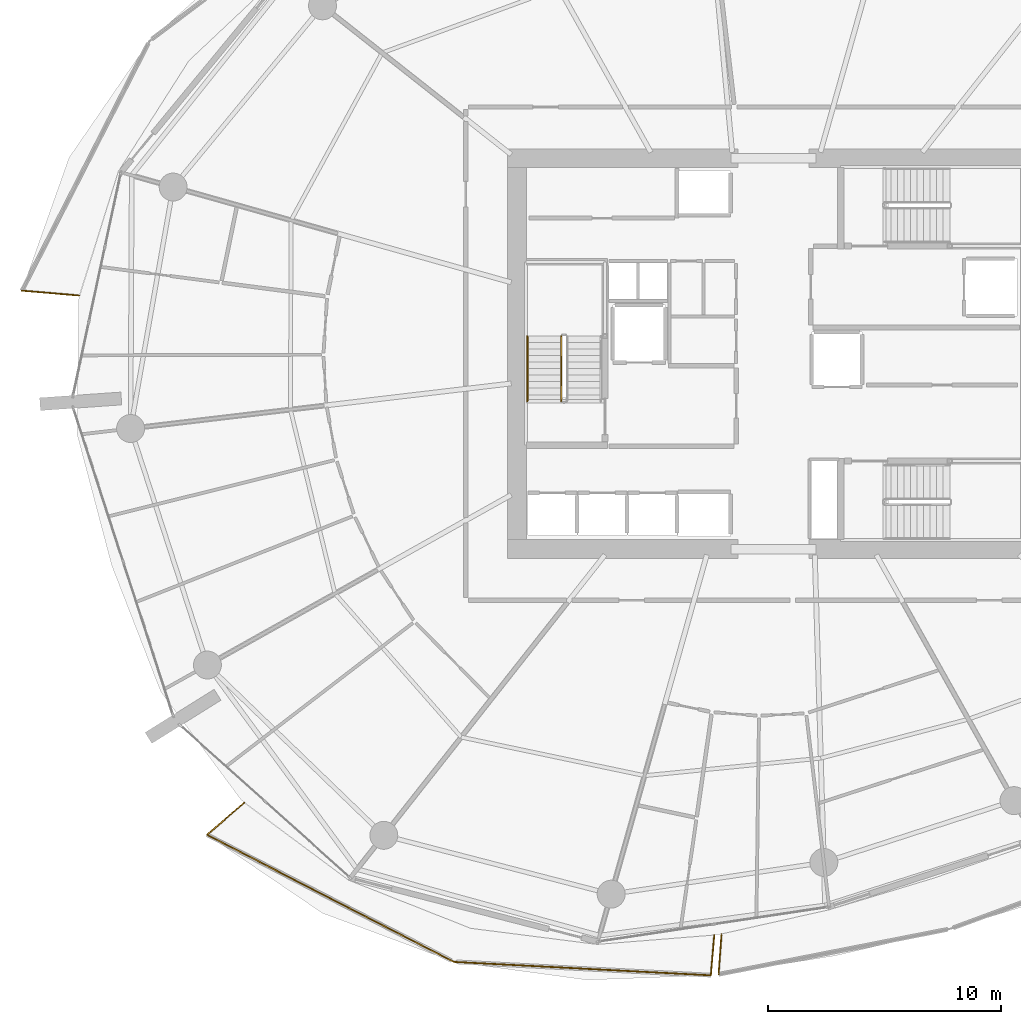
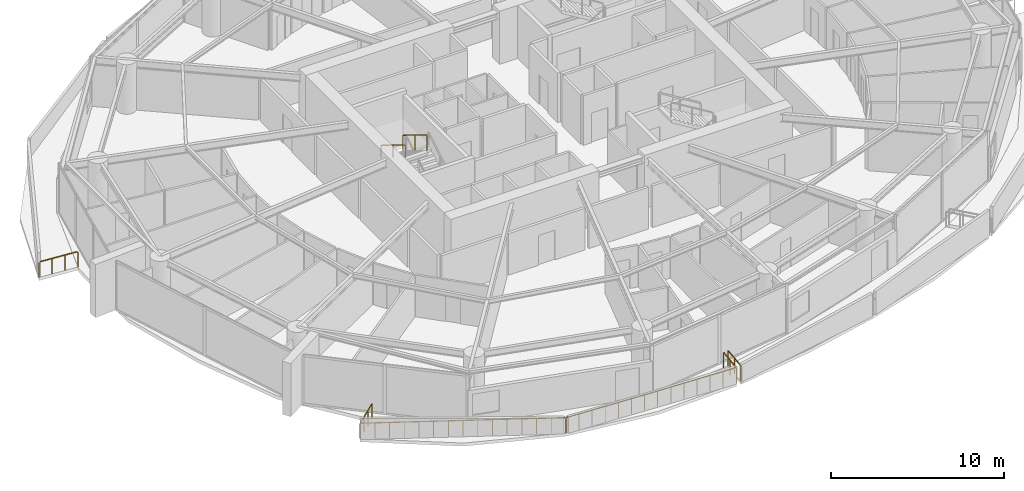
# One storey, part 17 of 23: 8 railings.
"""IFC4 building model written with IfcOpenShell, lengths in metres."""

from ifc_helpers import new_model, si_unit, direction, frame, origin, origin_2d, place, context, subcontext, project, spatial, rectangle, extrude, material, type_object, element, save


model = new_model("IFC4")

# Units and contexts
model_context = context("Model", 3, precision=1e-05, world=origin(), true_north=direction((0.0, 1.0)))
body_context = subcontext(model_context, "Body", "Model", "MODEL_VIEW")
ifc_project = project(units=[si_unit("LENGTHUNIT", "METRE"), si_unit("AREAUNIT", "SQUARE_METRE"), si_unit("VOLUMEUNIT", "CUBIC_METRE"), si_unit("PLANEANGLEUNIT", "RADIAN"), si_unit("MASSUNIT", "GRAM", prefix="KILO")], contexts=[model_context])

# Site, building, storey
site_placement = place(None, origin())
site = spatial("IfcSite", under=ifc_project, at=site_placement, CompositionType="ELEMENT")
building_placement = place(site_placement, origin())
building = spatial("IfcBuilding", under=site, at=building_placement, Name="Kazma Halo Residences", CompositionType="ELEMENT")
storey_placement = place(building_placement, frame((0.0, 0.0, 97.64990234375)))
storey = spatial("IfcBuildingStorey", under=building, at=storey_placement, Name="L24", CompositionType="ELEMENT", Elevation=97.64990234375)

# Railings
ifc_material_1 = material(Name="Aluminium AW-6063 T6 Brushed Cap Rail", Category="aluminium")
railing_type_1 = type_object("IfcRailingType", Name="RLG-BAL-CAP-1120", PredefinedType="BALUSTRADE", material=ifc_material_1)
railing_1_placement = place(storey_placement, frame((16.12109375, 44.705078125, 0.0)))
element("IfcRailing", 1, at=railing_1_placement, inside=storey, type_object=railing_type_1, Name="L24 NW wave balcony guard 4", PredefinedType="BALUSTRADE", context=body_context, shape_type="SweptSolid", body=[
    extrude(rectangle(XDim=0.050048828125, YDim=0.050048828125, at=origin_2d()), frame((0.04248046875, -0.003662109375, 1.09521484375), z_axis=(0.996412851629, -0.084625227375, 0.0), x_axis=(0.084625227375, 0.996412851629, 0.0)), (0.0, 0.0, 1.0), 2.39599609375),
    extrude(rectangle(XDim=0.0400390625, YDim=0.0400390625, at=origin_2d()), origin(), (0.0, 0.0, 1.0), 1.05810546875),
    extrude(rectangle(XDim=0.0400390625, YDim=0.0400390625, at=origin_2d()), frame((0.823974609375, -0.070068359375, 0.0)), (0.0, 0.0, 1.0), 1.05810546875),
    extrude(rectangle(XDim=0.0400390625, YDim=0.0400390625, at=origin_2d()), frame((1.648193359375, -0.139892578125, 0.0)), (0.0, 0.0, 1.0), 1.05810546875),
    extrude(rectangle(XDim=0.0400390625, YDim=0.0400390625, at=origin_2d()), frame((2.47216796875, -0.2099609375, 0.0)), (0.0, 0.0, 1.0), 1.05810546875),
])
railing_2_placement = place(storey_placement, frame((25.676025390625, 22.696533203125, 0.0)))
element("IfcRailing", 2, at=railing_2_placement, inside=storey, type_object=railing_type_1, Name="L24 SW wave balcony guard 1", PredefinedType="BALUSTRADE", context=body_context, shape_type="SweptSolid", body=[
    extrude(rectangle(XDim=0.050048828125, YDim=0.050048828125, at=origin_2d()), frame((-0.0322265625, -0.02783203125, 1.09521484375), z_axis=(-0.756383280666, -0.654128682087, 0.0), x_axis=(0.654128682087, -0.756383280666, 0.0)), (0.0, 0.0, 1.0), 2.025634765625),
    extrude(rectangle(XDim=0.0400390625, YDim=0.0400390625, at=origin_2d()), origin(), (0.0, 0.0, 1.0), 1.05810546875),
    extrude(rectangle(XDim=0.0400390625, YDim=0.0400390625, at=origin_2d()), frame((-0.5322265625, -0.460205078125, 0.0)), (0.0, 0.0, 1.0), 1.05810546875),
    extrude(rectangle(XDim=0.0400390625, YDim=0.0400390625, at=origin_2d()), frame((-1.064208984375, -0.92041015625, 0.0)), (0.0, 0.0, 1.0), 1.05810546875),
    extrude(rectangle(XDim=0.0400390625, YDim=0.0400390625, at=origin_2d()), frame((-1.596435546875, -1.380615234375, 0.0)), (0.0, 0.0, 1.0), 1.05810546875),
])
railing_3_placement = place(storey_placement, frame((24.07958984375, 21.31591796875, 0.0)))
element("IfcRailing", 3, at=railing_3_placement, inside=storey, type_object=railing_type_1, Name="L24 SW wave balcony guard 2", PredefinedType="BALUSTRADE", context=body_context, shape_type="SweptSolid", body=[
    extrude(rectangle(XDim=0.050048828125, YDim=0.050048828125, at=origin_2d()), frame((0.037841796875, -0.01953125, 1.09521484375), z_axis=(0.888977082513, -0.457951686062, 0.0), x_axis=(0.457951686062, 0.888977082513, 0.0)), (0.0, 0.0, 1.0), 11.838134765625),
    extrude(rectangle(XDim=0.0400390625, YDim=0.0400390625, at=origin_2d()), origin(), (0.0, 0.0, 1.0), 1.05810546875),
    extrude(rectangle(XDim=0.0400390625, YDim=0.0400390625, at=origin_2d()), frame((0.757080078125, -0.39013671875, 0.0)), (0.0, 0.0, 1.0), 1.05810546875),
    extrude(rectangle(XDim=0.0400390625, YDim=0.0400390625, at=origin_2d()), frame((1.51416015625, -0.780029296875, 0.0)), (0.0, 0.0, 1.0), 1.05810546875),
    extrude(rectangle(XDim=0.0400390625, YDim=0.0400390625, at=origin_2d()), frame((2.271240234375, -1.169921875, 0.0)), (0.0, 0.0, 1.0), 1.05810546875),
    extrude(rectangle(XDim=0.0400390625, YDim=0.0400390625, at=origin_2d()), frame((3.0283203125, -1.56005859375, 0.0)), (0.0, 0.0, 1.0), 1.05810546875),
    extrude(rectangle(XDim=0.0400390625, YDim=0.0400390625, at=origin_2d()), frame((3.785400390625, -1.9501953125, 0.0)), (0.0, 0.0, 1.0), 1.05810546875),
    extrude(rectangle(XDim=0.0400390625, YDim=0.0400390625, at=origin_2d()), frame((4.54248046875, -2.340087890625, 0.0)), (0.0, 0.0, 1.0), 1.05810546875),
    extrude(rectangle(XDim=0.0400390625, YDim=0.0400390625, at=origin_2d()), frame((5.2998046875, -2.72998046875, 0.0)), (0.0, 0.0, 1.0), 1.05810546875),
    extrude(rectangle(XDim=0.0400390625, YDim=0.0400390625, at=origin_2d()), frame((6.056884765625, -3.1201171875, 0.0)), (0.0, 0.0, 1.0), 1.05810546875),
    extrude(rectangle(XDim=0.0400390625, YDim=0.0400390625, at=origin_2d()), frame((6.81396484375, -3.51025390625, 0.0)), (0.0, 0.0, 1.0), 1.05810546875),
    extrude(rectangle(XDim=0.0400390625, YDim=0.0400390625, at=origin_2d()), frame((7.571044921875, -3.900146484375, 0.0)), (0.0, 0.0, 1.0), 1.05810546875),
    extrude(rectangle(XDim=0.0400390625, YDim=0.0400390625, at=origin_2d()), frame((8.328125, -4.2900390625, 0.0)), (0.0, 0.0, 1.0), 1.05810546875),
    extrude(rectangle(XDim=0.0400390625, YDim=0.0400390625, at=origin_2d()), frame((9.085205078125, -4.68017578125, 0.0)), (0.0, 0.0, 1.0), 1.05810546875),
    extrude(rectangle(XDim=0.0400390625, YDim=0.0400390625, at=origin_2d()), frame((9.84228515625, -5.0703125, 0.0)), (0.0, 0.0, 1.0), 1.05810546875),
    extrude(rectangle(XDim=0.0400390625, YDim=0.0400390625, at=origin_2d()), frame((10.599365234375, -5.460205078125, 0.0)), (0.0, 0.0, 1.0), 1.05810546875),
])
railing_4_placement = place(storey_placement, frame((34.678955078125, 15.855712890625, 0.0)))
element("IfcRailing", 4, at=railing_4_placement, inside=storey, type_object=railing_type_1, Name="L24 SW wave balcony guard 3", PredefinedType="BALUSTRADE", context=body_context, shape_type="SweptSolid", body=[
    extrude(rectangle(XDim=0.050048828125, YDim=0.050048828125, at=origin_2d()), frame((0.04248046875, -0.002197265625, 1.09521484375), z_axis=(0.998638528459, -0.052164063076, 0.0), x_axis=(0.052164063076, 0.998638528459, 0.0)), (0.0, 0.0, 1.0), 10.983642578125),
    extrude(rectangle(XDim=0.0400390625, YDim=0.0400390625, at=origin_2d()), origin(), (0.0, 0.0, 1.0), 1.05810546875),
    extrude(rectangle(XDim=0.0400390625, YDim=0.0400390625, at=origin_2d()), frame((0.850341796875, -0.04443359375, 0.0)), (0.0, 0.0, 1.0), 1.05810546875),
    extrude(rectangle(XDim=0.0400390625, YDim=0.0400390625, at=origin_2d()), frame((1.70068359375, -0.0888671875, 0.0)), (0.0, 0.0, 1.0), 1.05810546875),
    extrude(rectangle(XDim=0.0400390625, YDim=0.0400390625, at=origin_2d()), frame((2.55078125, -0.13330078125, 0.0)), (0.0, 0.0, 1.0), 1.05810546875),
    extrude(rectangle(XDim=0.0400390625, YDim=0.0400390625, at=origin_2d()), frame((3.401123046875, -0.177734375, 0.0)), (0.0, 0.0, 1.0), 1.05810546875),
    extrude(rectangle(XDim=0.0400390625, YDim=0.0400390625, at=origin_2d()), frame((4.25146484375, -0.22216796875, 0.0)), (0.0, 0.0, 1.0), 1.05810546875),
    extrude(rectangle(XDim=0.0400390625, YDim=0.0400390625, at=origin_2d()), frame((5.101806640625, -0.2666015625, 0.0)), (0.0, 0.0, 1.0), 1.05810546875),
    extrude(rectangle(XDim=0.0400390625, YDim=0.0400390625, at=origin_2d()), frame((5.951904296875, -0.310791015625, 0.0)), (0.0, 0.0, 1.0), 1.05810546875),
    extrude(rectangle(XDim=0.0400390625, YDim=0.0400390625, at=origin_2d()), frame((6.80224609375, -0.355224609375, 0.0)), (0.0, 0.0, 1.0), 1.05810546875),
    extrude(rectangle(XDim=0.0400390625, YDim=0.0400390625, at=origin_2d()), frame((7.652587890625, -0.399658203125, 0.0)), (0.0, 0.0, 1.0), 1.05810546875),
    extrude(rectangle(XDim=0.0400390625, YDim=0.0400390625, at=origin_2d()), frame((8.5029296875, -0.444091796875, 0.0)), (0.0, 0.0, 1.0), 1.05810546875),
    extrude(rectangle(XDim=0.0400390625, YDim=0.0400390625, at=origin_2d()), frame((9.35302734375, -0.488525390625, 0.0)), (0.0, 0.0, 1.0), 1.05810546875),
    extrude(rectangle(XDim=0.0400390625, YDim=0.0400390625, at=origin_2d()), frame((10.203369140625, -0.532958984375, 0.0)), (0.0, 0.0, 1.0), 1.05810546875),
    extrude(rectangle(XDim=0.0400390625, YDim=0.0400390625, at=origin_2d()), frame((11.0537109375, -0.577392578125, 0.0)), (0.0, 0.0, 1.0), 1.05810546875),
])
railing_5_placement = place(storey_placement, frame((45.732666015625, 15.2783203125, 0.0)))
element("IfcRailing", 5, at=railing_5_placement, inside=storey, type_object=railing_type_1, Name="L24 SW wave balcony guard 4", PredefinedType="BALUSTRADE", context=body_context, shape_type="SweptSolid", body=[
    extrude(rectangle(XDim=0.050048828125, YDim=0.050048828125, at=origin_2d()), frame((0.003662109375, 0.04248046875, 1.09521484375), z_axis=(0.084547240247, 0.996419471993, 0.0), x_axis=(-0.996419471993, 0.084547240247, 0.0)), (0.0, 0.0, 1.0), 1.650390625),
    extrude(rectangle(XDim=0.0400390625, YDim=0.0400390625, at=origin_2d()), origin(), (0.0, 0.0, 1.0), 1.05810546875),
    extrude(rectangle(XDim=0.0400390625, YDim=0.0400390625, at=origin_2d()), frame((0.0732421875, 0.86474609375, 0.0)), (0.0, 0.0, 1.0), 1.05810546875),
    extrude(rectangle(XDim=0.0400390625, YDim=0.0400390625, at=origin_2d()), frame((0.146728515625, 1.729248046875, 0.0)), (0.0, 0.0, 1.0), 1.05810546875),
])
railing_6_placement = place(storey_placement, frame((46.18994140625, 17.05419921875, 0.0)))
element("IfcRailing", 6, at=railing_6_placement, inside=storey, type_object=railing_type_1, Name="L24 SSE wave balcony guard 1", PredefinedType="BALUSTRADE", context=body_context, shape_type="SweptSolid", body=[
    extrude(rectangle(XDim=0.050048828125, YDim=0.050048828125, at=origin_2d()), frame((-0.003173828125, -0.04248046875, 1.09521484375), z_axis=(-0.072361028195, -0.99737850468, 0.0), x_axis=(0.99737850468, -0.072361028195, 0.0)), (0.0, 0.0, 1.0), 1.6591796875),
    extrude(rectangle(XDim=0.0400390625, YDim=0.0400390625, at=origin_2d()), origin(), (0.0, 0.0, 1.0), 1.05810546875),
    extrude(rectangle(XDim=0.0400390625, YDim=0.0400390625, at=origin_2d()), frame((-0.06298828125, -0.869873046875, 0.0)), (0.0, 0.0, 1.0), 1.05810546875),
    extrude(rectangle(XDim=0.0400390625, YDim=0.0400390625, at=origin_2d()), frame((-0.126220703125, -1.73974609375, 0.0)), (0.0, 0.0, 1.0), 1.05810546875),
])
ifc_material_2 = material(Name="Painted Steel S355", Category="steel")
railing_type_2 = type_object("IfcRailingType", Name="RLG-STAIR-GRD-1100", PredefinedType="GUARDRAIL", material=ifc_material_2)
railing_7_placement = place(storey_placement, frame((39.300048828125, 42.75, 2.045654296875)))
element("IfcRailing", 7, at=railing_7_placement, inside=storey, type_object=railing_type_2, Name="L24 ST-01 stair guard 3", PredefinedType="GUARDRAIL", context=body_context, shape_type="SweptSolid", body=[
    extrude(rectangle(XDim=0.050048828125, YDim=0.050048828125, at=origin_2d()), frame((0.0, -0.036376953125, 1.09716796875), z_axis=(0.0, -0.854202870247, 0.519939858505), x_axis=(1.0, 0.0, 0.0)), (0.0, 0.0, 1.0), 3.19287109375),
    extrude(rectangle(XDim=0.0400390625, YDim=0.0400390625, at=origin_2d()), origin(), (0.0, 0.0, 1.0), 1.0380859375),
    extrude(rectangle(XDim=0.0400390625, YDim=0.0400390625, at=origin_2d()), frame((0.0, -1.39990234375, 0.85205078125)), (0.0, 0.0, 1.0), 1.0380859375),
    extrude(rectangle(XDim=0.0400390625, YDim=0.0400390625, at=origin_2d()), frame((0.0, -2.800048828125, 1.704345703125)), (0.0, 0.0, 1.0), 1.0380859375),
])
ifc_material_3 = material(Name="Brushed Stainless Steel", Category="steel")
railing_type_3 = type_object("IfcRailingType", Name="RLG-STAIR-HND-900", PredefinedType="HANDRAIL", material=ifc_material_3)
railing_8_placement = place(storey_placement, frame((37.85009765625, 42.75, 2.045654296875)))
element("IfcRailing", 8, at=railing_8_placement, inside=storey, type_object=railing_type_3, Name="L24 ST-01 stair handrail 2", PredefinedType="HANDRAIL", context=body_context, shape_type="SweptSolid", body=[
    extrude(rectangle(XDim=0.050048828125, YDim=0.050048828125, at=origin_2d()), frame((0.0, -0.036376953125, 0.89697265625), z_axis=(0.0, -0.854202870247, 0.519939858505), x_axis=(1.0, 0.0, 0.0)), (0.0, 0.0, 1.0), 3.19287109375),
    extrude(rectangle(XDim=0.0400390625, YDim=0.0400390625, at=origin_2d()), origin(), (0.0, 0.0, 1.0), 0.837890625),
    extrude(rectangle(XDim=0.0400390625, YDim=0.0400390625, at=origin_2d()), frame((0.0, -1.39990234375, 0.85205078125)), (0.0, 0.0, 1.0), 0.837890625),
    extrude(rectangle(XDim=0.0400390625, YDim=0.0400390625, at=origin_2d()), frame((0.0, -2.800048828125, 1.704345703125)), (0.0, 0.0, 1.0), 0.837890625),
])

save(model, "model.ifc")
